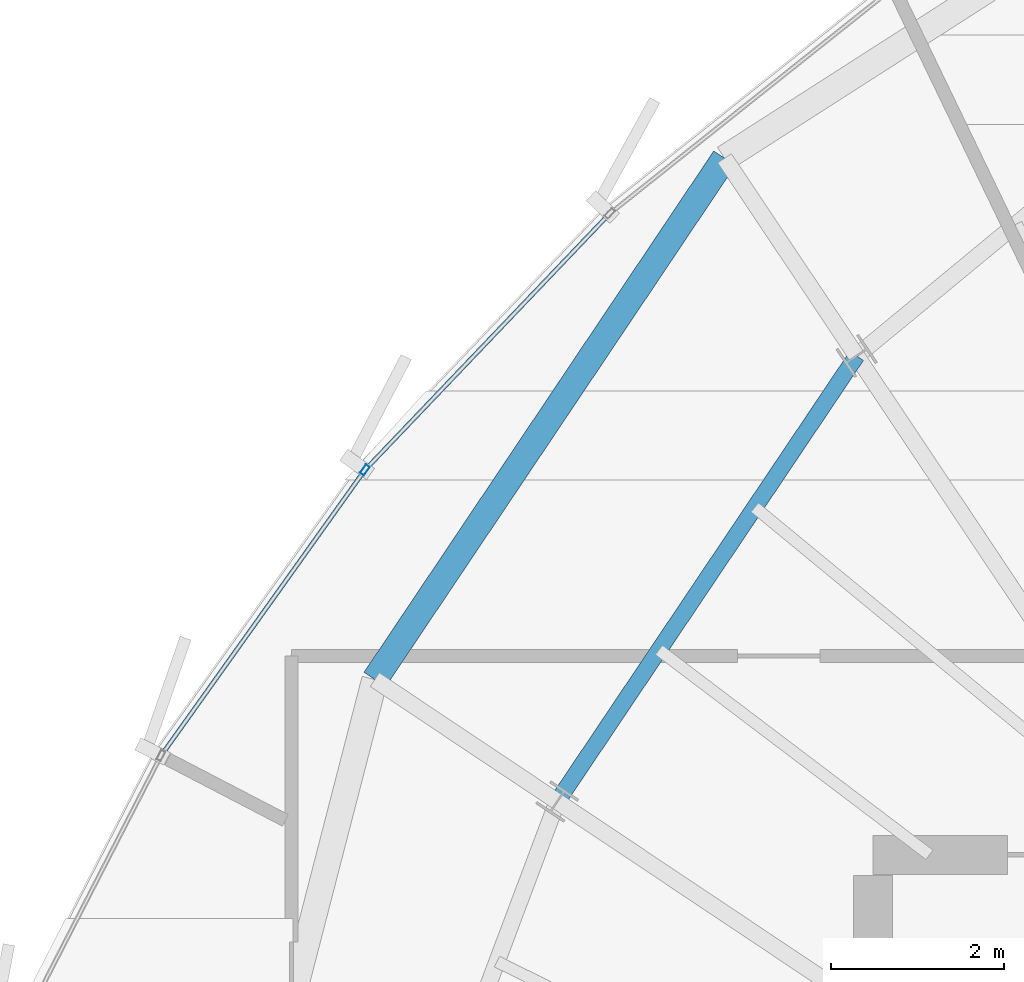
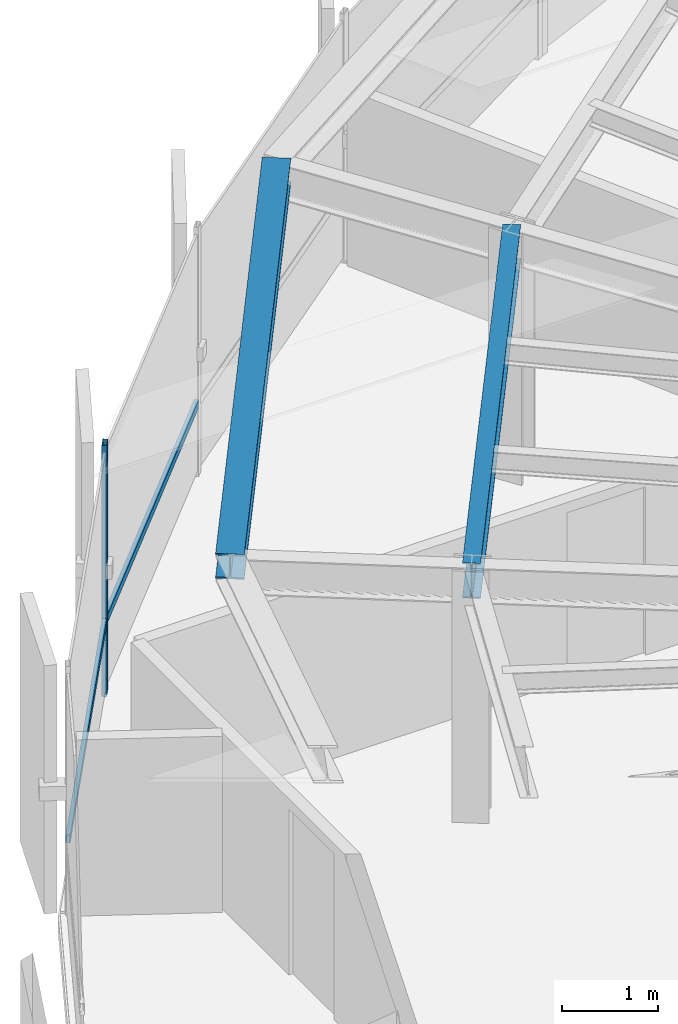
# One storey, part 18 of 33: 3 members, 2 beams, 1 element without a shape of its own.
"""IFC4 building model written with IfcOpenShell, lengths in metres."""

from ifc_helpers import new_model, si_unit, direction, frame, origin, origin_2d, place, context, subcontext, project, spatial, hollow_rectangle, i_section, extrude, source, transform, mapped, material, layer, layer_set, material_profile, profile_set, type_object, element, aggregate, save


model = new_model("IFC4")

# Units and contexts
model_context = context("Model", 3, precision=1e-05, world=origin(), true_north=direction((0.0, 1.0)))
body_context = subcontext(model_context, "Body", "Model", "MODEL_VIEW")
ifc_project = project(units=[si_unit("LENGTHUNIT", "METRE"), si_unit("AREAUNIT", "SQUARE_METRE"), si_unit("VOLUMEUNIT", "CUBIC_METRE"), si_unit("PLANEANGLEUNIT", "RADIAN"), si_unit("MASSUNIT", "GRAM", prefix="KILO"), si_unit("THERMODYNAMICTEMPERATUREUNIT", "KELVIN")], contexts=[model_context])

# Site, building, storey
site_placement = place(None, origin())
site = spatial("IfcSite", under=ifc_project, at=site_placement, CompositionType="ELEMENT")
building_placement = place(site_placement, origin())
building = spatial("IfcBuilding", under=site, at=building_placement, Name="Kethvar Cultural Tower", CompositionType="ELEMENT")
storey_placement = place(building_placement, frame((0.0, 0.0, 238.75)))
storey = spatial("IfcBuildingStorey", under=building, at=storey_placement, Name="L62", CompositionType="ELEMENT", Elevation=238.75)

# Beams
ifc_material_1 = material(Name="Steel S355J2", Category="steel")
ifc_material_profile_1 = material_profile(ifc_material_1, i_section(OverallWidth=0.18994140625, OverallDepth=0.449951171875, WebThickness=0.009521484375, FlangeThickness=0.0146484375, FilletRadius=0.02099609375, at=origin_2d()), Name="Steel S355J2 — IPE450")
ifc_profile_set_1 = profile_set([ifc_material_profile_1], Name="Steel S355J2 — IPE450")
beam_type_1 = type_object("IfcBeamType", Name="BM-IPE450", PredefinedType="BEAM", material=ifc_profile_set_1)
shared_shape_1 = source(origin(), body_context, "Body", "SweptSolid", [
    extrude(i_section(OverallWidth=0.18994140625, OverallDepth=0.449951171875, WebThickness=0.009521484375, FlangeThickness=0.0146484375, FilletRadius=0.02099609375, at=origin_2d()), origin(), (0.0, 0.0, 1.0), 6.192626953125),
])
beam_1_placement = place(storey_placement, frame((37.8095703125, 41.255126953125, 2.98291015625), z_axis=(-0.557698912025, -0.830043326295, 0.0), x_axis=(0.830043326295, -0.557698912025, 0.0)))
element("IfcBeam", 1, at=beam_1_placement, inside=storey, type_object=beam_type_1, Name="L62 Column Ring Tie Beam CR-06", PredefinedType="BEAM", context=body_context, shape_type="MappedRepresentation", body=[
    mapped(shared_shape_1, transform((0.0, 0.0, 0.0), scale=1.0)),
])
ifc_material_profile_2 = material_profile(ifc_material_1, i_section(OverallWidth=0.300048828125, OverallDepth=0.320068359375, WebThickness=0.011474609375, FlangeThickness=0.0205078125, FilletRadius=0.027099609375, at=origin_2d()), Name="Steel S355J2 — HEB320")
ifc_profile_set_2 = profile_set([ifc_material_profile_2], Name="Steel S355J2 — HEB320")
beam_type_2 = type_object("IfcBeamType", Name="BM-SP320", PredefinedType="SPANDREL", material=ifc_profile_set_2)
shared_shape_2 = source(origin(), body_context, "Body", "SweptSolid", [
    extrude(i_section(OverallWidth=0.300048828125, OverallDepth=0.320068359375, WebThickness=0.011474609375, FlangeThickness=0.0205078125, FilletRadius=0.027099609375, at=origin_2d()), origin(), (0.0, 0.0, 1.0), 7.242431640625),
])
beam_2_placement = place(storey_placement, frame((36.285888671875, 43.53564453125, 3.048095703125), z_axis=(-0.55715599956, -0.830407846876, 0.0), x_axis=(0.830407846876, -0.55715599956, 0.0)))
element("IfcBeam", 2, at=beam_2_placement, inside=storey, type_object=beam_type_2, Name="L62 Perimeter Spandrel Beam SP-06", PredefinedType="SPANDREL", context=body_context, shape_type="MappedRepresentation", body=[
    mapped(shared_shape_2, transform((0.0, 0.0, 0.0), scale=1.0)),
])

# Curtain wall, members
ifc_material_2 = material(Name="Aluminium 6063-T6", Category="aluminium")
ifc_layer = layer(ifc_material_2, 0.179931640625, Name="Aluminium 6063-T6", Category="aluminium")
ifc_layer_set = layer_set([ifc_layer], Name="Aluminium 6063-T6 (180 mm)")
curtain_wall_type = type_object("IfcCurtainWallType", Name="CW-SYS-05-Z56", PredefinedType="NOTDEFINED", material=ifc_layer_set)
curtain_wall_placement = place(storey_placement, origin())
curtain_wall = element("IfcCurtainWall", 3, at=curtain_wall_placement, inside=storey, type_object=curtain_wall_type, Name="L62 Curtain Wall Run 02", PredefinedType="NOTDEFINED")
ifc_material_profile_3 = material_profile(ifc_material_2, hollow_rectangle(XDim=0.054931640625, YDim=0.1201171875, WallThickness=0.00390625, at=origin_2d()), Name="Aluminium 6063-T6 — RHS120x55x4")
ifc_profile_set_3 = profile_set([ifc_material_profile_3], Name="Aluminium 6063-T6 — RHS120x55x4")
member_type_1 = type_object("IfcMemberType", Name="CW-SYS-05-Z56-MUL", PredefinedType="MULLION", material=ifc_profile_set_3)
shared_shape_3 = source(origin(), body_context, "Body", "SweptSolid", [
    extrude(hollow_rectangle(XDim=0.054931640625, YDim=0.1201171875, WallThickness=0.00390625, at=origin_2d()), origin(), (0.0, 0.0, 1.0), 3.2099609375),
])
member_1_placement = place(storey_placement, frame((32.136962890625, 39.939697265625, 0.0), z_axis=(0.0, 0.0, 1.0), x_axis=(0.814145922776, -0.580660327926, 0.0)))
member_1 = element("IfcMember", 4, at=member_1_placement, type_object=member_type_1, Name="CW-L62-R02 Mullion 4", PredefinedType="MULLION", context=body_context, shape_type="MappedRepresentation", body=[
    mapped(shared_shape_3, transform((0.0, 0.0, 0.0), scale=1.0)),
])
ifc_material_profile_4 = material_profile(ifc_material_2, hollow_rectangle(XDim=0.050048828125, YDim=0.10009765625, WallThickness=0.00390625, at=origin_2d()), Name="Aluminium 6063-T6 — RHS100x50x4")
ifc_profile_set_4 = profile_set([ifc_material_profile_4], Name="Aluminium 6063-T6 — RHS100x50x4")
member_type_2 = type_object("IfcMemberType", Name="CW-SYS-05-Z56-TRN", PredefinedType="USERDEFINED", material=ifc_profile_set_4)
shared_shape_4 = source(origin(), body_context, "Body", "SweptSolid", [
    extrude(hollow_rectangle(XDim=0.050048828125, YDim=0.10009765625, WallThickness=0.00390625, at=origin_2d()), origin(), (0.0, 0.0, 1.0), 4.024658203125),
])
member_2_placement = place(storey_placement, frame((34.933837890625, 42.868896484375, 0.949951171875), z_axis=(-0.690383405103, -0.723443677116, 0.0), x_axis=(0.723443677116, -0.690383405103, 0.0)))
member_2 = element("IfcMember", 5, at=member_2_placement, type_object=member_type_2, Name="CW-L62-R02 Transom 3", ObjectType="TRANSOM", PredefinedType="USERDEFINED", context=body_context, shape_type="MappedRepresentation", body=[
    mapped(shared_shape_4, transform((0.0, 0.0, 0.0), scale=1.0)),
])
shared_shape_5 = source(origin(), body_context, "Body", "SweptSolid", [
    extrude(hollow_rectangle(XDim=0.050048828125, YDim=0.10009765625, WallThickness=0.00390625, at=origin_2d()), origin(), (0.0, 0.0, 1.0), 3.984619140625),
])
member_3_placement = place(storey_placement, frame((32.114013671875, 39.907470703125, 0.949951171875), z_axis=(-0.58065266958, -0.814151384762, 0.0), x_axis=(0.814151384762, -0.58065266958, 0.0)))
member_3 = element("IfcMember", 6, at=member_3_placement, type_object=member_type_2, Name="CW-L62-R02 Transom 4", ObjectType="TRANSOM", PredefinedType="USERDEFINED", context=body_context, shape_type="MappedRepresentation", body=[
    mapped(shared_shape_5, transform((0.0, 0.0, 0.0), scale=1.0)),
])
aggregate(curtain_wall, [member_1, member_2, member_3])

save(model, "model.ifc")
